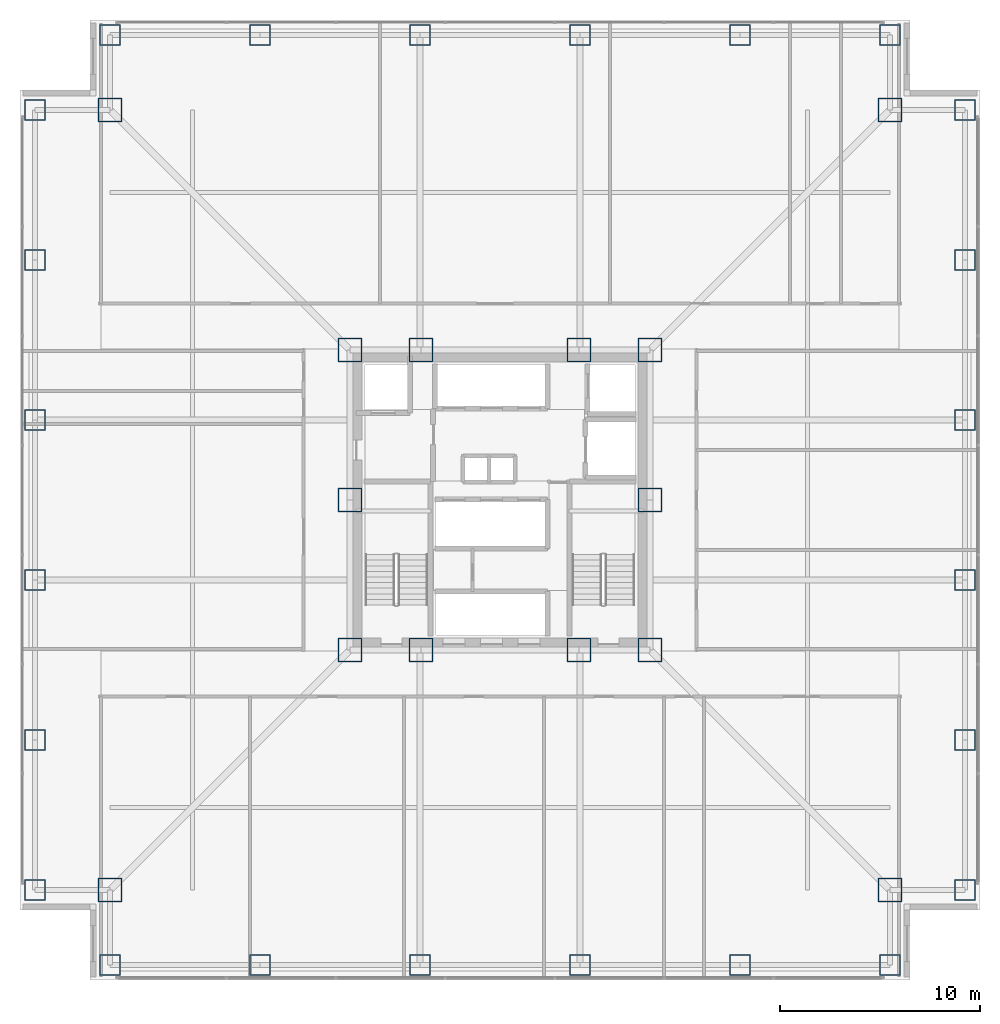
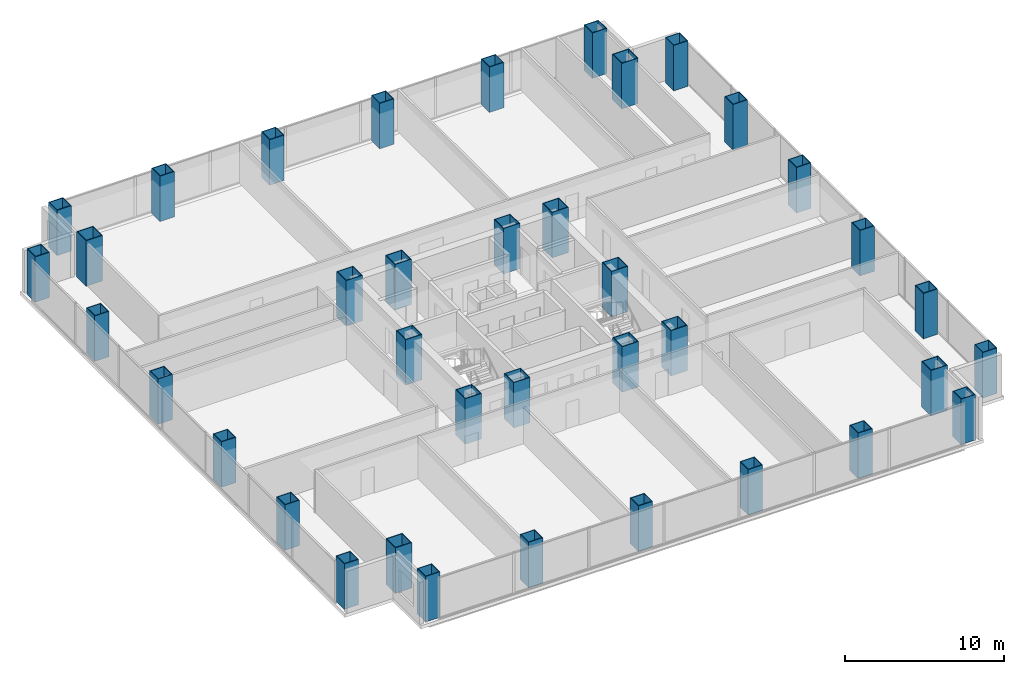
# One storey, part 1 of 19: 38 columns.
"""IFC4 building model written with IfcOpenShell, lengths in metres."""

from ifc_helpers import new_model, si_unit, direction, frame, origin, origin_2d, place, context, subcontext, project, spatial, hollow_rectangle, extrude, material, material_profile, profile_set, type_object, element, save


model = new_model("IFC4")

# Units and contexts
model_context = context("Model", 3, precision=1e-05, world=origin(), true_north=direction((0.0, 1.0)))
body_context = subcontext(model_context, "Body", "Model", "MODEL_VIEW")
ifc_project = project(units=[si_unit("LENGTHUNIT", "METRE"), si_unit("AREAUNIT", "SQUARE_METRE"), si_unit("VOLUMEUNIT", "CUBIC_METRE"), si_unit("PLANEANGLEUNIT", "RADIAN"), si_unit("MASSUNIT", "GRAM", prefix="KILO")], contexts=[model_context])

# Site, building, storey
site_placement = place(None, origin())
site = spatial("IfcSite", under=ifc_project, at=site_placement, CompositionType="ELEMENT")
building_placement = place(site_placement, origin())
building = spatial("IfcBuilding", under=site, at=building_placement, Name="Trevonay Congress Spire", CompositionType="ELEMENT")
storey_placement = place(building_placement, frame((0.0, 0.0, 41.0)))
storey = spatial("IfcBuildingStorey", under=building, at=storey_placement, Name="L09", CompositionType="ELEMENT", Elevation=41.0)

# Columns
ifc_material = material(Name="Steel ASTM A572 Grade 50", Category="steel")
ifc_material_profile_1 = material_profile(ifc_material, hollow_rectangle(XDim=1.199951171875, YDim=1.199951171875, WallThickness=0.054931640625, at=origin_2d()), Name="BOX 1200x1200x55")
ifc_profile_set_1 = profile_set([ifc_material_profile_1], Name="Steel ASTM A572 Grade 50")
column_type_1 = type_object("IfcColumnType", Name="COL-CORE-BOX1200", PredefinedType="COLUMN", material=ifc_profile_set_1)
for number, where, z_axis, x_axis, name in (
    (1, (-7.5, -7.5, 0.0), (0.0, 0.0, 1.0), (1.0, 0.0, 0.0), "L09 column C02 at CC-SW"),
    (2, (-3.949951171875, -7.5, 0.0), (0.0, 0.0, 1.0), (1.0, 0.0, 0.0), "L09 column C02 at CC-SMW"),
    (3, (3.949951171875, -7.5, 0.0), (0.0, 0.0, 1.0), (1.0, 0.0, 0.0), "L09 column C02 at CC-SME"),
    (4, (7.5, -7.5, 0.0), (0.0, 0.0, 1.0), (1.0, 0.0, 0.0), "L09 column C02 at CC-SE"),
    (5, (7.5, 0.0, 0.0), (0.0, 0.0, 1.0), (1.0, 0.0, 0.0), "L09 column C02 at CC-E"),
    (6, (7.5, 7.5, 0.0), (0.0, 0.0, 1.0), (1.0, 0.0, 0.0), "L09 column C02 at CC-NE"),
    (7, (3.949951171875, 7.5, 0.0), (0.0, 0.0, 1.0), (1.0, 0.0, 0.0), "L09 column C02 at CC-NME"),
    (8, (-3.949951171875, 7.5, 0.0), (0.0, 0.0, 1.0), (1.0, 0.0, 0.0), "L09 column C02 at CC-NMW"),
    (9, (-7.5, 7.5, 0.0), (0.0, 0.0, 1.0), (1.0, 0.0, 0.0), "L09 column C02 at CC-NW"),
    (10, (-7.5, 0.0, 0.0), (0.0, 0.0, 1.0), (1.0, 0.0, 0.0), "L09 column C02 at CC-W"),
):
    element("IfcColumn", number, at=place(storey_placement, frame(where, z_axis=z_axis, x_axis=x_axis)), inside=storey, type_object=column_type_1, Name=name, PredefinedType="COLUMN", context=body_context, shape_type="SweptSolid", body=[
        extrude(hollow_rectangle(XDim=1.199951171875, YDim=1.199951171875, WallThickness=0.054931640625, at=origin_2d()), origin(), (0.0, 0.0, 1.0), 3.5),
    ])
ifc_material_profile_2 = material_profile(ifc_material, hollow_rectangle(XDim=1.199951171875, YDim=1.199951171875, WallThickness=0.054931640625, at=origin_2d()), Name="BOX 1200x1200x55")
ifc_profile_set_2 = profile_set([ifc_material_profile_2], Name="Steel ASTM A572 Grade 50")
column_type_2 = type_object("IfcColumnType", Name="COL-NOTCH-BOX1200", PredefinedType="COLUMN", material=ifc_profile_set_2)
for number, where, z_axis, x_axis, name in (
    (11, (-19.5, -19.5, 0.0), (0.0, 0.0, 1.0), (1.0, 0.0, 0.0), "L09 column C19 at NC-SW"),
    (12, (19.5, -19.5, 0.0), (0.0, 0.0, 1.0), (1.0, 0.0, 0.0), "L09 column C19 at NC-SE"),
    (13, (19.5, 19.5, 0.0), (0.0, 0.0, 1.0), (1.0, 0.0, 0.0), "L09 column C19 at NC-NE"),
    (14, (-19.5, 19.5, 0.0), (0.0, 0.0, 1.0), (1.0, 0.0, 0.0), "L09 column C19 at NC-NW"),
):
    element("IfcColumn", number, at=place(storey_placement, frame(where, z_axis=z_axis, x_axis=x_axis)), inside=storey, type_object=column_type_2, Name=name, PredefinedType="COLUMN", context=body_context, shape_type="SweptSolid", body=[
        extrude(hollow_rectangle(XDim=1.199951171875, YDim=1.199951171875, WallThickness=0.054931640625, at=origin_2d()), origin(), (0.0, 0.0, 1.0), 3.5),
    ])
ifc_material_profile_3 = material_profile(ifc_material, hollow_rectangle(XDim=1.050048828125, YDim=1.050048828125, WallThickness=0.050048828125, at=origin_2d()), Name="BOX 1050x1050x50")
ifc_profile_set_3 = profile_set([ifc_material_profile_3], Name="Steel ASTM A572 Grade 50")
column_type_3 = type_object("IfcColumnType", Name="COL-TUBE-BOX1050", PredefinedType="COLUMN", material=ifc_profile_set_3)
for number, where, z_axis, x_axis, name in (
    (15, (-19.5, -23.25, 0.0), (0.0, 0.0, 1.0), (1.0, 0.0, 0.0), "L09 column C14 at TS-1"),
    (16, (-19.5, 23.25, 0.0), (0.0, 0.0, 1.0), (1.0, 0.0, 0.0), "L09 column C14 at TN-1"),
    (17, (-23.25, -19.5, 0.0), (0.0, 0.0, 1.0), (1.0, 0.0, 0.0), "L09 column C14 at TW-1"),
    (18, (23.25, -19.5, 0.0), (0.0, 0.0, 1.0), (1.0, 0.0, 0.0), "L09 column C14 at TE-1"),
    (19, (-12.0, -23.25, 0.0), (0.0, 0.0, 1.0), (1.0, 0.0, 0.0), "L09 column C14 at TS-2"),
    (20, (-12.0, 23.25, 0.0), (0.0, 0.0, 1.0), (1.0, 0.0, 0.0), "L09 column C14 at TN-2"),
    (21, (-23.25, -12.0, 0.0), (0.0, 0.0, 1.0), (1.0, 0.0, 0.0), "L09 column C14 at TW-2"),
    (22, (23.25, -12.0, 0.0), (0.0, 0.0, 1.0), (1.0, 0.0, 0.0), "L09 column C14 at TE-2"),
    (23, (-4.0, -23.25, 0.0), (0.0, 0.0, 1.0), (1.0, 0.0, 0.0), "L09 column C14 at TS-3"),
    (24, (-4.0, 23.25, 0.0), (0.0, 0.0, 1.0), (1.0, 0.0, 0.0), "L09 column C14 at TN-3"),
    (25, (-23.25, -4.0, 0.0), (0.0, 0.0, 1.0), (1.0, 0.0, 0.0), "L09 column C14 at TW-3"),
    (26, (23.25, -4.0, 0.0), (0.0, 0.0, 1.0), (1.0, 0.0, 0.0), "L09 column C14 at TE-3"),
    (27, (4.0, -23.25, 0.0), (0.0, 0.0, 1.0), (1.0, 0.0, 0.0), "L09 column C14 at TS-4"),
    (28, (4.0, 23.25, 0.0), (0.0, 0.0, 1.0), (1.0, 0.0, 0.0), "L09 column C14 at TN-4"),
    (29, (-23.25, 4.0, 0.0), (0.0, 0.0, 1.0), (1.0, 0.0, 0.0), "L09 column C14 at TW-4"),
    (30, (23.25, 4.0, 0.0), (0.0, 0.0, 1.0), (1.0, 0.0, 0.0), "L09 column C14 at TE-4"),
    (31, (12.0, -23.25, 0.0), (0.0, 0.0, 1.0), (1.0, 0.0, 0.0), "L09 column C14 at TS-5"),
    (32, (12.0, 23.25, 0.0), (0.0, 0.0, 1.0), (1.0, 0.0, 0.0), "L09 column C14 at TN-5"),
    (33, (-23.25, 12.0, 0.0), (0.0, 0.0, 1.0), (1.0, 0.0, 0.0), "L09 column C14 at TW-5"),
    (34, (23.25, 12.0, 0.0), (0.0, 0.0, 1.0), (1.0, 0.0, 0.0), "L09 column C14 at TE-5"),
    (35, (19.5, -23.25, 0.0), (0.0, 0.0, 1.0), (1.0, 0.0, 0.0), "L09 column C14 at TS-6"),
    (36, (19.5, 23.25, 0.0), (0.0, 0.0, 1.0), (1.0, 0.0, 0.0), "L09 column C14 at TN-6"),
    (37, (-23.25, 19.5, 0.0), (0.0, 0.0, 1.0), (1.0, 0.0, 0.0), "L09 column C14 at TW-6"),
    (38, (23.25, 19.5, 0.0), (0.0, 0.0, 1.0), (1.0, 0.0, 0.0), "L09 column C14 at TE-6"),
):
    element("IfcColumn", number, at=place(storey_placement, frame(where, z_axis=z_axis, x_axis=x_axis)), inside=storey, type_object=column_type_3, Name=name, PredefinedType="COLUMN", context=body_context, shape_type="SweptSolid", body=[
        extrude(hollow_rectangle(XDim=1.050048828125, YDim=1.050048828125, WallThickness=0.050048828125, at=origin_2d()), origin(), (0.0, 0.0, 1.0), 3.5),
    ])

save(model, "model.ifc")
